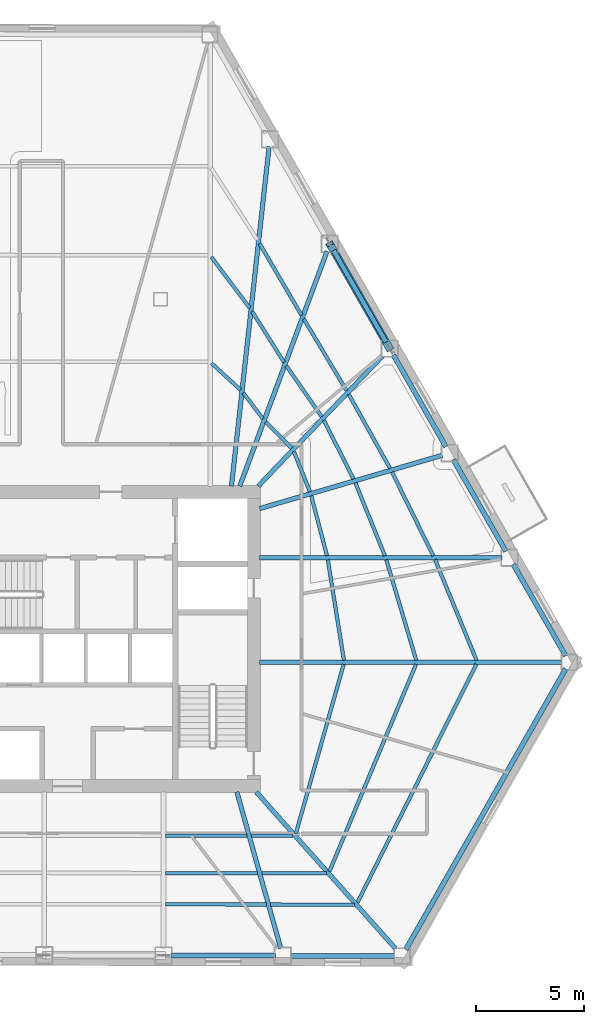
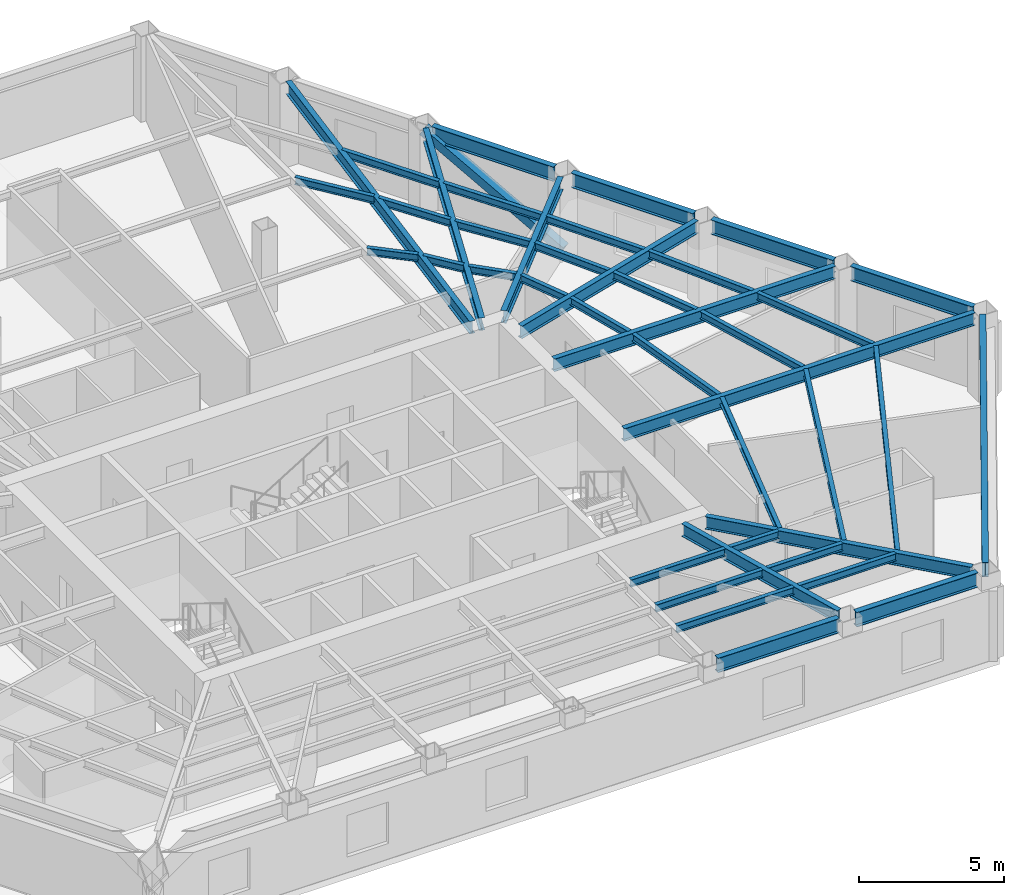
# One storey, part 3 of 14: 41 beams, 1 member.
"""IFC4 building model written with IfcOpenShell, lengths in metres."""

from ifc_helpers import new_model, si_unit, direction, frame, origin, origin_2d, place, context, subcontext, project, spatial, hollow_rectangle, i_section, extrude, material, material_profile, profile_set, type_object, element, save


model = new_model("IFC4")

# Units and contexts
model_context = context("Model", 3, precision=1e-05, world=origin(), true_north=direction((0.0, 1.0)))
body_context = subcontext(model_context, "Body", "Model", "MODEL_VIEW")
ifc_project = project(units=[si_unit("LENGTHUNIT", "METRE"), si_unit("AREAUNIT", "SQUARE_METRE"), si_unit("VOLUMEUNIT", "CUBIC_METRE"), si_unit("PLANEANGLEUNIT", "RADIAN"), si_unit("MASSUNIT", "GRAM", prefix="KILO")], contexts=[model_context])

# Site, building, storey
site_placement = place(None, origin())
site = spatial("IfcSite", under=ifc_project, at=site_placement, CompositionType="ELEMENT")
building_placement = place(site_placement, origin())
building = spatial("IfcBuilding", under=site, at=building_placement, Name="Kavelnor Concourse Tower", CompositionType="ELEMENT")
storey_placement = place(building_placement, frame((0.0, 0.0, 32.949951171875)))
storey = spatial("IfcBuildingStorey", under=building, at=storey_placement, Name="L08", CompositionType="ELEMENT", Elevation=32.949951171875)

# Beams
ifc_material = material(Name="Steel Grade 350", Category="steel")
ifc_material_profile_1 = material_profile(ifc_material, i_section(OverallWidth=0.166015625, OverallDepth=0.306884765625, WebThickness=0.006591796875, FlangeThickness=0.01171875, at=origin_2d()), Name="310UB46")
ifc_profile_set_1 = profile_set([ifc_material_profile_1], Name="Steel Grade 350")
beam_type_1 = type_object("IfcBeamType", Name="BM-JOIST-310", PredefinedType="JOIST", material=ifc_profile_set_1)
beam_1_placement = place(storey_placement, frame((43.739501953125, 7.0166015625, 3.4365234375), z_axis=(0.999999460421, -0.001038825566, 0.0), x_axis=(0.001038825566, 0.999999460421, 0.0)))
element("IfcBeam", 1, at=beam_1_placement, inside=storey, type_object=beam_type_1, Name="L08 Secondary Composite Joist 06-1", PredefinedType="JOIST", context=body_context, shape_type="SweptSolid", body=[
    extrude(i_section(OverallWidth=0.166015625, OverallDepth=0.306884765625, WebThickness=0.006591796875, FlangeThickness=0.01171875, at=origin_2d()), origin(), (0.0, 0.0, 1.0), 3.76025390625),
])
beam_2_placement = place(storey_placement, frame((43.739501953125, 5.282470703125, 3.4365234375), z_axis=(0.999998967475, -0.001437027889, 0.0), x_axis=(0.001437027889, 0.999998967475, 0.0)))
element("IfcBeam", 2, at=beam_2_placement, inside=storey, type_object=beam_type_1, Name="L08 Secondary Composite Joist 06-2", PredefinedType="JOIST", context=body_context, shape_type="SweptSolid", body=[
    extrude(i_section(OverallWidth=0.166015625, OverallDepth=0.306884765625, WebThickness=0.006591796875, FlangeThickness=0.01171875, at=origin_2d()), origin(), (0.0, 0.0, 1.0), 4.247314453125),
])
beam_3_placement = place(storey_placement, frame((43.739501953125, 3.83740234375, 3.4365234375), z_axis=(0.999998590488, -0.001678994433, 0.0), x_axis=(0.001678994433, 0.999998590488, 0.0)))
element("IfcBeam", 3, at=beam_3_placement, inside=storey, type_object=beam_type_1, Name="L08 Secondary Composite Joist 06-3", PredefinedType="JOIST", context=body_context, shape_type="SweptSolid", body=[
    extrude(i_section(OverallWidth=0.166015625, OverallDepth=0.306884765625, WebThickness=0.006591796875, FlangeThickness=0.01171875, at=origin_2d()), origin(), (0.0, 0.0, 1.0), 4.653076171875),
])
beam_4_placement = place(storey_placement, frame((47.69677734375, 7.012451171875, 3.4365234375), z_axis=(0.999994184696, -0.003410362888, 0.0), x_axis=(0.003410362888, 0.999994184696, 0.0)))
element("IfcBeam", 4, at=beam_4_placement, inside=storey, type_object=beam_type_1, Name="L08 Secondary Composite Joist 07-1", PredefinedType="JOIST", context=body_context, shape_type="SweptSolid", body=[
    extrude(i_section(OverallWidth=0.166015625, OverallDepth=0.306884765625, WebThickness=0.006591796875, FlangeThickness=0.01171875, at=origin_2d()), origin(), (0.0, 0.0, 1.0), 1.932861328125),
])
beam_5_placement = place(storey_placement, frame((48.183837890625, 5.276123046875, 3.4365234375), z_axis=(0.999998235678, -0.001878467774, 0.0), x_axis=(0.001878467774, 0.999998235678, 0.0)))
element("IfcBeam", 5, at=beam_5_placement, inside=storey, type_object=beam_type_1, Name="L08 Secondary Composite Joist 07-2", PredefinedType="JOIST", context=body_context, shape_type="SweptSolid", body=[
    extrude(i_section(OverallWidth=0.166015625, OverallDepth=0.306884765625, WebThickness=0.006591796875, FlangeThickness=0.01171875, at=origin_2d()), origin(), (0.0, 0.0, 1.0), 2.9892578125),
])
beam_6_placement = place(storey_placement, frame((48.589599609375, 3.8291015625, 3.4365234375), z_axis=(0.999999281424, -0.001198812944, 0.0), x_axis=(0.001198812944, 0.999999281424, 0.0)))
element("IfcBeam", 6, at=beam_6_placement, inside=storey, type_object=beam_type_1, Name="L08 Secondary Composite Joist 07-3", PredefinedType="JOIST", context=body_context, shape_type="SweptSolid", body=[
    extrude(i_section(OverallWidth=0.166015625, OverallDepth=0.306884765625, WebThickness=0.006591796875, FlangeThickness=0.01171875, at=origin_2d()), origin(), (0.0, 0.0, 1.0), 3.869384765625),
])
beam_7_placement = place(storey_placement, frame((49.7548828125, 7.100341796875, 3.4365234375), z_axis=(0.272095967525, 0.962270120318, 0.0), x_axis=(-0.962270120318, 0.272095967525, 0.0)))
element("IfcBeam", 7, at=beam_7_placement, inside=storey, type_object=beam_type_1, Name="L08 Secondary Composite Joist 08-1", PredefinedType="JOIST", context=body_context, shape_type="SweptSolid", body=[
    extrude(i_section(OverallWidth=0.166015625, OverallDepth=0.306884765625, WebThickness=0.006591796875, FlangeThickness=0.01171875, at=origin_2d()), origin(), (0.0, 0.0, 1.0), 8.134521484375),
])
beam_8_placement = place(storey_placement, frame((51.3095703125, 5.361083984375, 3.4365234375), z_axis=(0.385894990094, 0.922542712627, 0.0), x_axis=(-0.922542712627, 0.385894990094, 0.0)))
element("IfcBeam", 8, at=beam_8_placement, inside=storey, type_object=beam_type_1, Name="L08 Secondary Composite Joist 08-2", PredefinedType="JOIST", context=body_context, shape_type="SweptSolid", body=[
    extrude(i_section(OverallWidth=0.166015625, OverallDepth=0.306884765625, WebThickness=0.006591796875, FlangeThickness=0.01171875, at=origin_2d()), origin(), (0.0, 0.0, 1.0), 10.374267578125),
])
beam_9_placement = place(storey_placement, frame((52.6015625, 3.912353515625, 3.4365234375), z_axis=(0.446618956023, 0.894724263737, 0.0), x_axis=(-0.894724263737, 0.446618956023, 0.0)))
element("IfcBeam", 9, at=beam_9_placement, inside=storey, type_object=beam_type_1, Name="L08 Secondary Composite Joist 08-3", PredefinedType="JOIST", context=body_context, shape_type="SweptSolid", body=[
    extrude(i_section(OverallWidth=0.166015625, OverallDepth=0.306884765625, WebThickness=0.006591796875, FlangeThickness=0.01171875, at=origin_2d()), origin(), (0.0, 0.0, 1.0), 12.319091796875),
])
beam_10_placement = place(storey_placement, frame((51.9794921875, 15.1201171875, 3.4365234375), z_axis=(-0.158304569058, 0.987390329817, 0.0), x_axis=(-0.987390329817, -0.158304569058, 0.0)))
element("IfcBeam", 10, at=beam_10_placement, inside=storey, type_object=beam_type_1, Name="L08 Secondary Composite Joist 09-1", PredefinedType="JOIST", context=body_context, shape_type="SweptSolid", body=[
    extrude(i_section(OverallWidth=0.166015625, OverallDepth=0.306884765625, WebThickness=0.006591796875, FlangeThickness=0.01171875, at=origin_2d()), origin(), (0.0, 0.0, 1.0), 4.69921875),
])
beam_11_placement = place(storey_placement, frame((55.32275390625, 15.1171875, 3.4365234375), z_axis=(-0.285420482663, 0.95840239361, 0.0), x_axis=(-0.95840239361, -0.285420482663, 0.0)))
element("IfcBeam", 11, at=beam_11_placement, inside=storey, type_object=beam_type_1, Name="L08 Secondary Composite Joist 09-2", PredefinedType="JOIST", context=body_context, shape_type="SweptSolid", body=[
    extrude(i_section(OverallWidth=0.166015625, OverallDepth=0.306884765625, WebThickness=0.006591796875, FlangeThickness=0.01171875, at=origin_2d()), origin(), (0.0, 0.0, 1.0), 4.847412109375),
])
beam_12_placement = place(storey_placement, frame((58.10986328125, 15.11376953125, 3.4365234375), z_axis=(-0.381181661264, 0.924500157445, 0.0), x_axis=(-0.924500157445, -0.381181661264, 0.0)))
element("IfcBeam", 12, at=beam_12_placement, inside=storey, type_object=beam_type_1, Name="L08 Secondary Composite Joist 09-3", PredefinedType="JOIST", context=body_context, shape_type="SweptSolid", body=[
    extrude(i_section(OverallWidth=0.166015625, OverallDepth=0.306884765625, WebThickness=0.006591796875, FlangeThickness=0.01171875, at=origin_2d()), origin(), (0.0, 0.0, 1.0), 5.0322265625),
])
beam_13_placement = place(storey_placement, frame((51.195068359375, 19.95263671875, 3.4365234375), z_axis=(-0.253237761104, 0.967404070878, 0.0), x_axis=(-0.967404070878, -0.253237761104, 0.0)))
element("IfcBeam", 13, at=beam_13_placement, inside=storey, type_object=beam_type_1, Name="L08 Secondary Composite Joist 10-1", PredefinedType="JOIST", context=body_context, shape_type="SweptSolid", body=[
    extrude(i_section(OverallWidth=0.166015625, OverallDepth=0.306884765625, WebThickness=0.006591796875, FlangeThickness=0.01171875, at=origin_2d()), origin(), (0.0, 0.0, 1.0), 2.8623046875),
])
beam_14_placement = place(storey_placement, frame((53.874267578125, 19.948486328125, 3.4365234375), z_axis=(-0.375694196233, 0.926743692138, 0.0), x_axis=(-0.926743692138, -0.375694196233, 0.0)))
element("IfcBeam", 14, at=beam_14_placement, inside=storey, type_object=beam_type_1, Name="L08 Secondary Composite Joist 10-2", PredefinedType="JOIST", context=body_context, shape_type="SweptSolid", body=[
    extrude(i_section(OverallWidth=0.166015625, OverallDepth=0.306884765625, WebThickness=0.006591796875, FlangeThickness=0.01171875, at=origin_2d()), origin(), (0.0, 0.0, 1.0), 3.63525390625),
])
beam_15_placement = place(storey_placement, frame((56.1103515625, 19.945556640625, 3.4365234375), z_axis=(-0.442156485446, 0.896937925599, 0.0), x_axis=(-0.896937925599, -0.442156485446, 0.0)))
element("IfcBeam", 15, at=beam_15_placement, inside=storey, type_object=beam_type_1, Name="L08 Secondary Composite Joist 10-3", PredefinedType="JOIST", context=body_context, shape_type="SweptSolid", body=[
    extrude(i_section(OverallWidth=0.166015625, OverallDepth=0.306884765625, WebThickness=0.006591796875, FlangeThickness=0.01171875, at=origin_2d()), origin(), (0.0, 0.0, 1.0), 4.312255859375),
])
beam_16_placement = place(storey_placement, frame((50.40869140625, 22.908447265625, 3.4365234375), z_axis=(-0.371306273603, 0.928510447536, 0.0), x_axis=(-0.928510447536, -0.371306273603, 0.0)))
element("IfcBeam", 16, at=beam_16_placement, inside=storey, type_object=beam_type_1, Name="L08 Secondary Composite Joist 11-1", PredefinedType="JOIST", context=body_context, shape_type="SweptSolid", body=[
    extrude(i_section(OverallWidth=0.166015625, OverallDepth=0.306884765625, WebThickness=0.006591796875, FlangeThickness=0.01171875, at=origin_2d()), origin(), (0.0, 0.0, 1.0), 1.994873046875),
])
beam_17_placement = place(storey_placement, frame((52.427001953125, 23.49658203125, 3.4365234375), z_axis=(-0.452510470851, 0.891759089536, 0.0), x_axis=(-0.891759089536, -0.452510470851, 0.0)))
element("IfcBeam", 17, at=beam_17_placement, inside=storey, type_object=beam_type_1, Name="L08 Secondary Composite Joist 11-2", PredefinedType="JOIST", context=body_context, shape_type="SweptSolid", body=[
    extrude(i_section(OverallWidth=0.166015625, OverallDepth=0.306884765625, WebThickness=0.006591796875, FlangeThickness=0.01171875, at=origin_2d()), origin(), (0.0, 0.0, 1.0), 3.03759765625),
])
beam_18_placement = place(storey_placement, frame((54.11181640625, 23.98779296875, 3.4365234375), z_axis=(-0.487293212595, 0.873238412439, 0.0), x_axis=(-0.873238412439, -0.487293212595, 0.0)))
element("IfcBeam", 18, at=beam_18_placement, inside=storey, type_object=beam_type_1, Name="L08 Secondary Composite Joist 11-3", PredefinedType="JOIST", context=body_context, shape_type="SweptSolid", body=[
    extrude(i_section(OverallWidth=0.166015625, OverallDepth=0.306884765625, WebThickness=0.006591796875, FlangeThickness=0.01171875, at=origin_2d()), origin(), (0.0, 0.0, 1.0), 3.9169921875),
])
beam_19_placement = place(storey_placement, frame((49.56201171875, 24.92236328125, 3.4365234375), z_axis=(-0.703873933007, 0.7103249161, 0.0), x_axis=(-0.7103249161, -0.703873933007, 0.0)))
element("IfcBeam", 19, at=beam_19_placement, inside=storey, type_object=beam_type_1, Name="L08 Secondary Composite Joist 12-1", PredefinedType="JOIST", context=body_context, shape_type="SweptSolid", body=[
    extrude(i_section(OverallWidth=0.166015625, OverallDepth=0.306884765625, WebThickness=0.006591796875, FlangeThickness=0.01171875, at=origin_2d()), origin(), (0.0, 0.0, 1.0), 1.703125),
])
beam_20_placement = place(storey_placement, frame((50.951904296875, 26.374267578125, 3.4365234375), z_axis=(-0.570184894612, 0.82151639421, 0.0), x_axis=(-0.82151639421, -0.570184894612, 0.0)))
element("IfcBeam", 20, at=beam_20_placement, inside=storey, type_object=beam_type_1, Name="L08 Secondary Composite Joist 12-2", PredefinedType="JOIST", context=body_context, shape_type="SweptSolid", body=[
    extrude(i_section(OverallWidth=0.166015625, OverallDepth=0.306884765625, WebThickness=0.006591796875, FlangeThickness=0.01171875, at=origin_2d()), origin(), (0.0, 0.0, 1.0), 2.86376953125),
])
beam_21_placement = place(storey_placement, frame((52.1044921875, 27.57861328125, 3.4365234375), z_axis=(-0.513398844957, 0.858150118567, 0.0), x_axis=(-0.858150118567, -0.513398844957, 0.0)))
element("IfcBeam", 21, at=beam_21_placement, inside=storey, type_object=beam_type_1, Name="L08 Secondary Composite Joist 12-3", PredefinedType="JOIST", context=body_context, shape_type="SweptSolid", body=[
    extrude(i_section(OverallWidth=0.166015625, OverallDepth=0.306884765625, WebThickness=0.006591796875, FlangeThickness=0.01171875, at=origin_2d()), origin(), (0.0, 0.0, 1.0), 3.86376953125),
])
beam_22_placement = place(storey_placement, frame((48.234619140625, 26.28076171875, 3.4365234375), z_axis=(-0.603976754996, 0.797001931882, 0.0), x_axis=(-0.797001931882, -0.603976754996, 0.0)))
element("IfcBeam", 22, at=beam_22_placement, inside=storey, type_object=beam_type_1, Name="L08 Secondary Composite Joist 13-1", PredefinedType="JOIST", context=body_context, shape_type="SweptSolid", body=[
    extrude(i_section(OverallWidth=0.166015625, OverallDepth=0.306884765625, WebThickness=0.006591796875, FlangeThickness=0.01171875, at=origin_2d()), origin(), (0.0, 0.0, 1.0), 1.5),
])
beam_23_placement = place(storey_placement, frame((49.210693359375, 28.89111328125, 3.4365234375), z_axis=(-0.531218281039, 0.847234995671, 0.0), x_axis=(-0.847234995671, -0.531218281039, 0.0)))
element("IfcBeam", 23, at=beam_23_placement, inside=storey, type_object=beam_type_1, Name="L08 Secondary Composite Joist 13-2", PredefinedType="JOIST", context=body_context, shape_type="SweptSolid", body=[
    extrude(i_section(OverallWidth=0.166015625, OverallDepth=0.306884765625, WebThickness=0.006591796875, FlangeThickness=0.01171875, at=origin_2d()), origin(), (0.0, 0.0, 1.0), 2.7705078125),
])
beam_24_placement = place(storey_placement, frame((50.0205078125, 31.06396484375, 3.4365234375), z_axis=(-0.504757153572, 0.863261383312, 0.0), x_axis=(-0.863261383312, -0.504757153572, 0.0)))
element("IfcBeam", 24, at=beam_24_placement, inside=storey, type_object=beam_type_1, Name="L08 Secondary Composite Joist 13-3", PredefinedType="JOIST", context=body_context, shape_type="SweptSolid", body=[
    extrude(i_section(OverallWidth=0.166015625, OverallDepth=0.306884765625, WebThickness=0.006591796875, FlangeThickness=0.01171875, at=origin_2d()), origin(), (0.0, 0.0, 1.0), 3.836181640625),
])
beam_25_placement = place(storey_placement, frame((47.1962890625, 27.621337890625, 3.4365234375), z_axis=(-0.737557730881, 0.67528408364, 0.0), x_axis=(-0.67528408364, -0.737557730881, 0.0)))
element("IfcBeam", 25, at=beam_25_placement, inside=storey, type_object=beam_type_1, Name="L08 Secondary Composite Joist 14-1", PredefinedType="JOIST", context=body_context, shape_type="SweptSolid", body=[
    extrude(i_section(OverallWidth=0.166015625, OverallDepth=0.306884765625, WebThickness=0.006591796875, FlangeThickness=0.01171875, at=origin_2d()), origin(), (0.0, 0.0, 1.0), 1.807373046875),
])
beam_26_placement = place(storey_placement, frame((47.627197265625, 31.400390625, 3.4365234375), z_axis=(-0.602128480579, 0.79839920646, 0.0), x_axis=(-0.79839920646, -0.602128480579, 0.0)))
element("IfcBeam", 26, at=beam_26_placement, inside=storey, type_object=beam_type_1, Name="L08 Secondary Composite Joist 14-2", PredefinedType="JOIST", context=body_context, shape_type="SweptSolid", body=[
    extrude(i_section(OverallWidth=0.166015625, OverallDepth=0.306884765625, WebThickness=0.006591796875, FlangeThickness=0.01171875, at=origin_2d()), origin(), (0.0, 0.0, 1.0), 2.95166015625),
])
ifc_material_profile_2 = material_profile(ifc_material, i_section(OverallWidth=0.208984375, OverallDepth=0.528076171875, WebThickness=0.009521484375, FlangeThickness=0.01318359375, at=origin_2d()), Name="530UB82")
ifc_profile_set_2 = profile_set([ifc_material_profile_2], Name="Steel Grade 350")
beam_type_2 = type_object("IfcBeamType", Name="BM-PRIMARY-530", PredefinedType="BEAM", material=ifc_profile_set_2)
beam_27_placement = place(storey_placement, frame((47.030029296875, 9.03857421875, 3.325927734375), z_axis=(0.270087837537, -0.962835686924, 0.0), x_axis=(0.962835686924, 0.270087837537, 0.0)))
element("IfcBeam", 27, at=beam_27_placement, inside=storey, type_object=beam_type_2, Name="L08 Primary Floor Girder F1-B5", PredefinedType="BEAM", context=body_context, shape_type="SweptSolid", body=[
    extrude(i_section(OverallWidth=0.208984375, OverallDepth=0.528076171875, WebThickness=0.009521484375, FlangeThickness=0.01318359375, at=origin_2d()), origin(), (0.0, 0.0, 1.0), 7.514404296875),
])
beam_28_placement = place(storey_placement, frame((47.927490234375, 9.02978515625, 3.325927734375), z_axis=(0.664595587923, -0.747203255154, 0.0), x_axis=(0.747203255154, 0.664595587923, 0.0)))
element("IfcBeam", 28, at=beam_28_placement, inside=storey, type_object=beam_type_2, Name="L08 Primary Floor Girder F1-B6", PredefinedType="BEAM", context=body_context, shape_type="SweptSolid", body=[
    extrude(i_section(OverallWidth=0.208984375, OverallDepth=0.528076171875, WebThickness=0.009521484375, FlangeThickness=0.01318359375, at=origin_2d()), origin(), (0.0, 0.0, 1.0), 9.676025390625),
])
beam_29_placement = place(storey_placement, frame((48.080078125, 15.022705078125, 3.325927734375), z_axis=(1.0, 0.0, 0.0), x_axis=(0.0, 1.0, 0.0)))
element("IfcBeam", 29, at=beam_29_placement, inside=storey, type_object=beam_type_2, Name="L08 Primary Floor Girder F2-B0", PredefinedType="BEAM", context=body_context, shape_type="SweptSolid", body=[
    extrude(i_section(OverallWidth=0.208984375, OverallDepth=0.528076171875, WebThickness=0.009521484375, FlangeThickness=0.01318359375, at=origin_2d()), origin(), (0.0, 0.0, 1.0), 13.982421875),
])
beam_30_placement = place(storey_placement, frame((48.080078125, 19.857421875, 3.325927734375), z_axis=(1.0, 0.0, 0.0), x_axis=(0.0, 1.0, 0.0)))
element("IfcBeam", 30, at=beam_30_placement, inside=storey, type_object=beam_type_2, Name="L08 Primary Floor Girder F2-B1", PredefinedType="BEAM", context=body_context, shape_type="SweptSolid", body=[
    extrude(i_section(OverallWidth=0.208984375, OverallDepth=0.528076171875, WebThickness=0.009521484375, FlangeThickness=0.01318359375, at=origin_2d()), origin(), (0.0, 0.0, 1.0), 11.2138671875),
])
beam_31_placement = place(storey_placement, frame((48.08154296875, 22.126708984375, 3.325927734375), z_axis=(0.959906984988, 0.280318711773, 0.0), x_axis=(-0.280318711773, 0.959906984988, 0.0)))
element("IfcBeam", 31, at=beam_31_placement, inside=storey, type_object=beam_type_2, Name="L08 Primary Floor Girder F2-B2", PredefinedType="BEAM", context=body_context, shape_type="SweptSolid", body=[
    extrude(i_section(OverallWidth=0.208984375, OverallDepth=0.528076171875, WebThickness=0.009521484375, FlangeThickness=0.01318359375, at=origin_2d()), origin(), (0.0, 0.0, 1.0), 8.794677734375),
])
beam_32_placement = place(storey_placement, frame((48.025390625, 23.171142578125, 3.325927734375), z_axis=(0.69076589483, 0.723078473293, 0.0), x_axis=(-0.723078473293, 0.69076589483, 0.0)))
element("IfcBeam", 32, at=beam_32_placement, inside=storey, type_object=beam_type_2, Name="L08 Primary Floor Girder F2-B3", PredefinedType="BEAM", context=body_context, shape_type="SweptSolid", body=[
    extrude(i_section(OverallWidth=0.208984375, OverallDepth=0.528076171875, WebThickness=0.009521484375, FlangeThickness=0.01318359375, at=origin_2d()), origin(), (0.0, 0.0, 1.0), 8.3037109375),
])
beam_33_placement = place(storey_placement, frame((47.163818359375, 23.16259765625, 3.325927734375), z_axis=(0.348520989904, 0.937300975993, 0.0), x_axis=(-0.937300975993, 0.348520989904, 0.0)))
element("IfcBeam", 33, at=beam_33_placement, inside=storey, type_object=beam_type_2, Name="L08 Primary Floor Girder F2-B4", PredefinedType="BEAM", context=body_context, shape_type="SweptSolid", body=[
    extrude(i_section(OverallWidth=0.208984375, OverallDepth=0.528076171875, WebThickness=0.009521484375, FlangeThickness=0.01318359375, at=origin_2d()), origin(), (0.0, 0.0, 1.0), 11.58203125),
])
beam_34_placement = place(storey_placement, frame((46.781982421875, 23.16015625, 3.325927734375), z_axis=(0.110156625215, 0.993914240728, 0.0), x_axis=(-0.993914240728, 0.110156625215, 0.0)))
element("IfcBeam", 34, at=beam_34_placement, inside=storey, type_object=beam_type_2, Name="L08 Primary Floor Girder F2-B5", PredefinedType="BEAM", context=body_context, shape_type="SweptSolid", body=[
    extrude(i_section(OverallWidth=0.208984375, OverallDepth=0.528076171875, WebThickness=0.009521484375, FlangeThickness=0.01318359375, at=origin_2d()), origin(), (0.0, 0.0, 1.0), 15.791259765625),
])
ifc_material_profile_3 = material_profile(ifc_material, i_section(OverallWidth=0.22900390625, OverallDepth=0.612060546875, WebThickness=0.011962890625, FlangeThickness=0.01953125, at=origin_2d()), Name="610UB125")
ifc_profile_set_3 = profile_set([ifc_material_profile_3], Name="Steel Grade 350")
beam_type_3 = type_object("IfcBeamType", Name="BM-SPANDREL-Z1", PredefinedType="SPANDREL", material=ifc_profile_set_3)
beam_35_placement = place(storey_placement, frame((43.986083984375, 1.473388671875, 3.283935546875), z_axis=(0.999997632274, -0.002176108208, 0.0), x_axis=(0.002176108208, 0.999997632274, 0.0)))
element("IfcBeam", 35, at=beam_35_placement, inside=storey, type_object=beam_type_3, Name="L08 Perimeter Tube Spandrel Beam F1-B4", PredefinedType="SPANDREL", context=body_context, shape_type="SweptSolid", body=[
    extrude(i_section(OverallWidth=0.22900390625, OverallDepth=0.612060546875, WebThickness=0.011962890625, FlangeThickness=0.01953125, at=origin_2d()), origin(), (0.0, 0.0, 1.0), 4.82421875),
])
beam_36_placement = place(storey_placement, frame((49.500244140625, 1.461181640625, 3.283935546875), z_axis=(0.999997521118, -0.002226602446, 0.0), x_axis=(0.002226602446, 0.999997521118, 0.0)))
element("IfcBeam", 36, at=beam_36_placement, inside=storey, type_object=beam_type_3, Name="L08 Perimeter Tube Spandrel Beam F1-B5", PredefinedType="SPANDREL", context=body_context, shape_type="SweptSolid", body=[
    extrude(i_section(OverallWidth=0.22900390625, OverallDepth=0.612060546875, WebThickness=0.011962890625, FlangeThickness=0.01953125, at=origin_2d()), origin(), (0.0, 0.0, 1.0), 4.824462890625),
])
beam_37_placement = place(storey_placement, frame((62.231201171875, 15.322021484375, 3.283935546875), z_axis=(-0.496957438692, 0.867774915591, 0.0), x_axis=(-0.867774915591, -0.496957438692, 0.0)))
element("IfcBeam", 37, at=beam_37_placement, inside=storey, type_object=beam_type_3, Name="L08 Perimeter Tube Spandrel Beam F2-B0", PredefinedType="SPANDREL", context=body_context, shape_type="SweptSolid", body=[
    extrude(i_section(OverallWidth=0.22900390625, OverallDepth=0.612060546875, WebThickness=0.011962890625, FlangeThickness=0.01953125, at=origin_2d()), origin(), (0.0, 0.0, 1.0), 4.88134765625),
])
beam_38_placement = place(storey_placement, frame((59.46240234375, 20.15673828125, 3.283935546875), z_axis=(-0.496979008668, 0.867762562538, 0.0), x_axis=(-0.867762562538, -0.496979008668, 0.0)))
element("IfcBeam", 38, at=beam_38_placement, inside=storey, type_object=beam_type_3, Name="L08 Perimeter Tube Spandrel Beam F2-B1", PredefinedType="SPANDREL", context=body_context, shape_type="SweptSolid", body=[
    extrude(i_section(OverallWidth=0.22900390625, OverallDepth=0.612060546875, WebThickness=0.011962890625, FlangeThickness=0.01953125, at=origin_2d()), origin(), (0.0, 0.0, 1.0), 4.881103515625),
])
beam_39_placement = place(storey_placement, frame((56.69384765625, 24.9912109375, 3.283935546875), z_axis=(-0.496957438692, 0.867774915591, 0.0), x_axis=(-0.867774915591, -0.496957438692, 0.0)))
element("IfcBeam", 39, at=beam_39_placement, inside=storey, type_object=beam_type_3, Name="L08 Perimeter Tube Spandrel Beam F2-B2", PredefinedType="SPANDREL", context=body_context, shape_type="SweptSolid", body=[
    extrude(i_section(OverallWidth=0.22900390625, OverallDepth=0.612060546875, WebThickness=0.011962890625, FlangeThickness=0.01953125, at=origin_2d()), origin(), (0.0, 0.0, 1.0), 4.88134765625),
])
beam_40_placement = place(storey_placement, frame((53.925048828125, 29.82568359375, 3.283935546875), z_axis=(-0.496919773691, 0.867796484503, 0.0), x_axis=(-0.867796484503, -0.496919773691, 0.0)))
element("IfcBeam", 40, at=beam_40_placement, inside=storey, type_object=beam_type_3, Name="L08 Perimeter Tube Spandrel Beam F2-B3", PredefinedType="SPANDREL", context=body_context, shape_type="SweptSolid", body=[
    extrude(i_section(OverallWidth=0.22900390625, OverallDepth=0.612060546875, WebThickness=0.011962890625, FlangeThickness=0.01953125, at=origin_2d()), origin(), (0.0, 0.0, 1.0), 4.881103515625),
])
beam_41_placement = place(storey_placement, frame((54.84033203125, 1.74951171875, 3.283935546875), z_axis=(0.495027416752, 0.868877354213, 0.0), x_axis=(-0.868877354213, 0.495027416752, 0.0)))
element("IfcBeam", 41, at=beam_41_placement, inside=storey, type_object=beam_type_3, Name="L08 Chamfer Facet Spandrel Beam C2", PredefinedType="SPANDREL", context=body_context, shape_type="SweptSolid", body=[
    extrude(i_section(OverallWidth=0.22900390625, OverallDepth=0.612060546875, WebThickness=0.011962890625, FlangeThickness=0.01953125, at=origin_2d()), origin(), (0.0, 0.0, 1.0), 14.93115234375),
])

# Member
ifc_material_profile_4 = material_profile(ifc_material, hollow_rectangle(XDim=0.35009765625, YDim=0.35009765625, WallThickness=0.02001953125, at=origin_2d()), Name="SHS 350x350x20")
ifc_profile_set_4 = profile_set([ifc_material_profile_4], Name="Steel Grade 350")
member_type = type_object("IfcMemberType", Name="MBR-TUBE-DIAG-Z1", PredefinedType="BRACE", material=ifc_profile_set_4)
member_placement = place(storey_placement, frame((54.0966796875, 29.5263671875, 0.219970703125), z_axis=(-0.43545870425, 0.760372870141, 0.481880498928), x_axis=(-0.867770839839, -0.496964555603, 0.0)))
element("IfcMember", 42, at=member_placement, inside=storey, type_object=member_type, Name="L08 Framed-Tube Bracing Diagonal F2-B3", PredefinedType="BRACE", context=body_context, shape_type="SweptSolid", body=[
    extrude(hollow_rectangle(XDim=0.35009765625, YDim=0.35009765625, WallThickness=0.02001953125, at=origin_2d()), origin(), (0.0, 0.0, 1.0), 6.3583984375),
])

save(model, "model.ifc")
